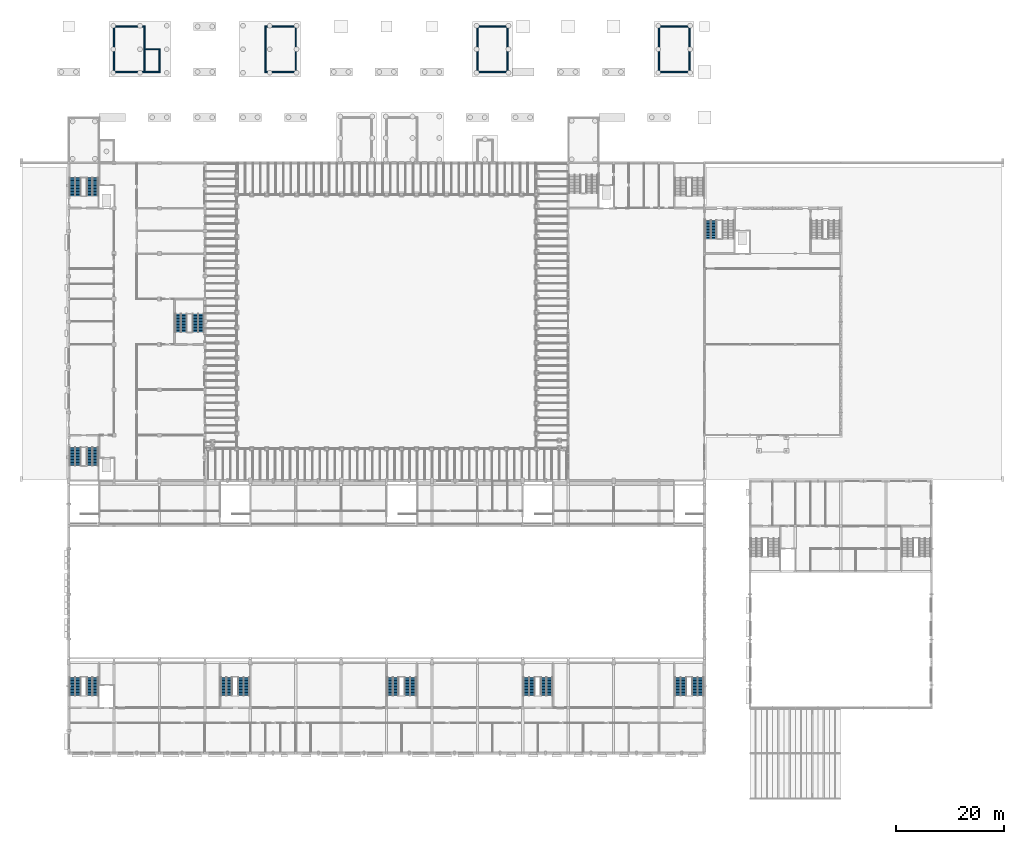
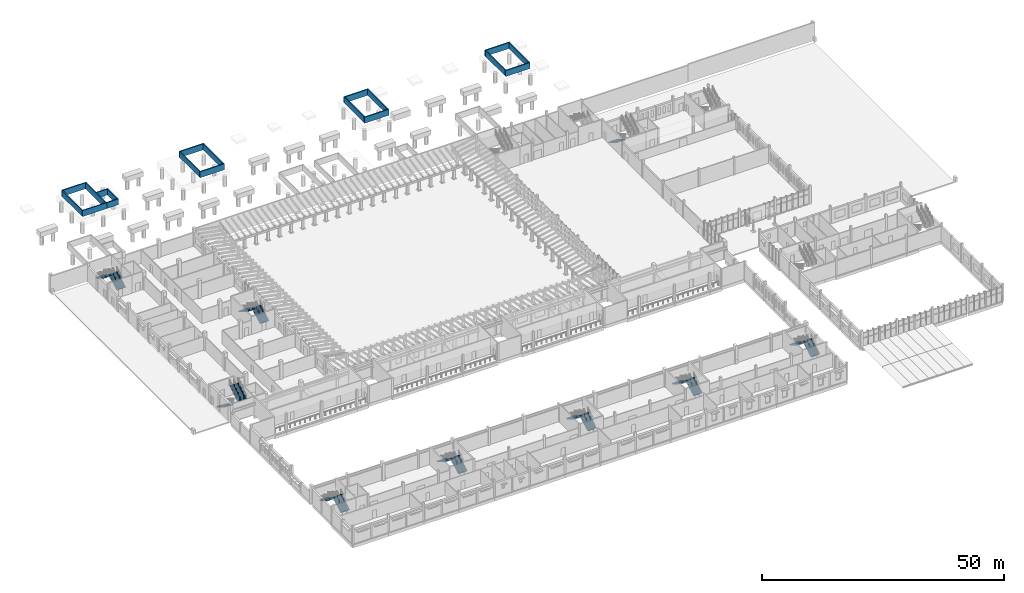
# One storey, part 49 of 60: 19 walls, 17 stair flights, 9 elements without a shape of their own.
"""IFC4 building model written with IfcOpenShell, lengths in metres."""

from ifc_helpers import new_model, si_unit, direction, frame, frame_2d, origin, place, context, subcontext, project, spatial, polyline, rectangle, outline, extrude, material, layer, layer_set, type_object, element, aggregate, save


model = new_model("IFC4")

# Units and contexts
model_context = context("Model", 3, precision=1e-05, world=origin(), true_north=direction((0.0, 1.0)))
body_context = subcontext(model_context, "Body", "Model", "MODEL_VIEW")
ifc_project = project(units=[si_unit("LENGTHUNIT", "METRE"), si_unit("AREAUNIT", "SQUARE_METRE"), si_unit("VOLUMEUNIT", "CUBIC_METRE"), si_unit("PLANEANGLEUNIT", "RADIAN"), si_unit("MASSUNIT", "GRAM", prefix="KILO")], contexts=[model_context])

# Site, building, storey
site_placement = place(None, origin())
site = spatial("IfcSite", under=ifc_project, at=site_placement, CompositionType="ELEMENT")
building_placement = place(site_placement, origin())
building = spatial("IfcBuilding", under=site, at=building_placement, Name="Fescue Hill Polytechnic", CompositionType="ELEMENT")
storey_placement = place(building_placement, frame((0.0, 0.0, 4.5)))
storey = spatial("IfcBuildingStorey", under=building, at=storey_placement, Name="L01", CompositionType="ELEMENT", Elevation=4.5)

# Walls
ifc_material_1 = material(Name="Concrete 40 MPa", Category="concrete")
ifc_layer_1 = layer(ifc_material_1, 0.25)
ifc_layer_set_1 = layer_set([ifc_layer_1], Name="Concrete 40 MPa")
wall_type_1 = type_object("IfcWallType", Name="Core wall 250", PredefinedType="SHEAR", material=ifc_layer_set_1)
for number, where, z_axis, x_axis, name in (
    (1, (109.074951171875, 126.0, 3.0), (0.0, 0.0, 1.0), (1.0, 0.0, 0.0), "FW-ST-V4b-2-1"),
    (2, (109.074951171875, 134.39990234375, 3.0), (0.0, 0.0, 1.0), (1.0, 0.0, 0.0), "FW-ST-V4b-2-2"),
):
    element("IfcWall", number, at=place(storey_placement, frame(where, z_axis=z_axis, x_axis=x_axis)), inside=storey, type_object=wall_type_1, Name=name, PredefinedType="SHEAR", context=body_context, shape_type="SweptSolid", body=[
        extrude(rectangle(XDim=5.85009765625, YDim=0.25, at=frame_2d((2.925048828125, 0.0))), origin(), (0.0, 0.0, 1.0), 1.5),
    ])
for number, where, z_axis, x_axis, name in (
    (3, (109.199951171875, 126.125, 3.0), (0.0, 0.0, 1.0), (0.0, 1.0, 0.0), "FW-ST-V4b-2-3"),
    (4, (114.800048828125, 126.125, 3.0), (0.0, 0.0, 1.0), (0.0, 1.0, 0.0), "FW-ST-V4b-2-4"),
):
    element("IfcWall", number, at=place(storey_placement, frame(where, z_axis=z_axis, x_axis=x_axis)), inside=storey, type_object=wall_type_1, Name=name, PredefinedType="SHEAR", context=body_context, shape_type="SweptSolid", body=[
        extrude(rectangle(XDim=8.14990234375, YDim=0.25, at=frame_2d((4.074951171875, 0.0))), origin(), (0.0, 0.0, 1.0), 1.5),
    ])
for number, where, z_axis, x_axis, name in (
    (5, (75.47509765625, 126.0, 3.0), (0.0, 0.0, 1.0), (1.0, 0.0, 0.0), "FW-ST-V4b-4-1"),
    (6, (75.47509765625, 134.39990234375, 3.0), (0.0, 0.0, 1.0), (1.0, 0.0, 0.0), "FW-ST-V4b-4-2"),
):
    element("IfcWall", number, at=place(storey_placement, frame(where, z_axis=z_axis, x_axis=x_axis)), inside=storey, type_object=wall_type_1, Name=name, PredefinedType="SHEAR", context=body_context, shape_type="SweptSolid", body=[
        extrude(rectangle(XDim=5.849853515625, YDim=0.25, at=frame_2d((2.9248046875, 0.0))), origin(), (0.0, 0.0, 1.0), 1.5),
    ])
for number, where, z_axis, x_axis, name in (
    (7, (75.60009765625, 126.125, 3.0), (0.0, 0.0, 1.0), (0.0, 1.0, 0.0), "FW-ST-V4b-4-3"),
    (8, (81.199951171875, 126.125, 3.0), (0.0, 0.0, 1.0), (0.0, 1.0, 0.0), "FW-ST-V4b-4-4"),
):
    element("IfcWall", number, at=place(storey_placement, frame(where, z_axis=z_axis, x_axis=x_axis)), inside=storey, type_object=wall_type_1, Name=name, PredefinedType="SHEAR", context=body_context, shape_type="SweptSolid", body=[
        extrude(rectangle(XDim=8.14990234375, YDim=0.25, at=frame_2d((4.074951171875, 0.0))), origin(), (0.0, 0.0, 1.0), 1.5),
    ])
for number, where, z_axis, x_axis, name in (
    (9, (36.27490234375, 126.0, 3.0), (0.0, 0.0, 1.0), (1.0, 0.0, 0.0), "FW-ST-V5-2-1"),
    (10, (36.27490234375, 134.39990234375, 3.0), (0.0, 0.0, 1.0), (1.0, 0.0, 0.0), "FW-ST-V5-2-2"),
):
    element("IfcWall", number, at=place(storey_placement, frame(where, z_axis=z_axis, x_axis=x_axis)), inside=storey, type_object=wall_type_1, Name=name, PredefinedType="SHEAR", context=body_context, shape_type="SweptSolid", body=[
        extrude(rectangle(XDim=5.85009765625, YDim=0.25, at=frame_2d((2.925048828125, 0.0))), origin(), (0.0, 0.0, 1.0), 1.5),
    ])
for number, where, z_axis, x_axis, name in (
    (11, (36.39990234375, 126.125, 3.0), (0.0, 0.0, 1.0), (0.0, 1.0, 0.0), "FW-ST-V5-2-3"),
    (12, (42.0, 126.125, 3.0), (0.0, 0.0, 1.0), (0.0, 1.0, 0.0), "FW-ST-V5-2-4"),
):
    element("IfcWall", number, at=place(storey_placement, frame(where, z_axis=z_axis, x_axis=x_axis)), inside=storey, type_object=wall_type_1, Name=name, PredefinedType="SHEAR", context=body_context, shape_type="SweptSolid", body=[
        extrude(rectangle(XDim=8.14990234375, YDim=0.25, at=frame_2d((4.074951171875, 0.0))), origin(), (0.0, 0.0, 1.0), 1.5),
    ])
for number, where, z_axis, x_axis, name in (
    (13, (8.27490234375, 126.0, 3.0), (0.0, 0.0, 1.0), (1.0, 0.0, 0.0), "FW-ST-V5-3-1"),
    (14, (8.27490234375, 134.39990234375, 3.0), (0.0, 0.0, 1.0), (1.0, 0.0, 0.0), "FW-ST-V5-3-2"),
):
    element("IfcWall", number, at=place(storey_placement, frame(where, z_axis=z_axis, x_axis=x_axis)), inside=storey, type_object=wall_type_1, Name=name, PredefinedType="SHEAR", context=body_context, shape_type="SweptSolid", body=[
        extrude(rectangle(XDim=5.85009765625, YDim=0.25, at=frame_2d((2.925048828125, 0.0))), origin(), (0.0, 0.0, 1.0), 1.5),
    ])
for number, where, z_axis, x_axis, name in (
    (15, (8.39990234375, 126.125, 3.0), (0.0, 0.0, 1.0), (0.0, 1.0, 0.0), "FW-ST-V5-3-3"),
    (16, (14.0, 126.125, 3.0), (0.0, 0.0, 1.0), (0.0, 1.0, 0.0), "FW-ST-V5-3-4"),
):
    element("IfcWall", number, at=place(storey_placement, frame(where, z_axis=z_axis, x_axis=x_axis)), inside=storey, type_object=wall_type_1, Name=name, PredefinedType="SHEAR", context=body_context, shape_type="SweptSolid", body=[
        extrude(rectangle(XDim=8.14990234375, YDim=0.25, at=frame_2d((4.074951171875, 0.0))), origin(), (0.0, 0.0, 1.0), 1.5),
    ])
ifc_layer_2 = layer(ifc_material_1, 0.25)
ifc_layer_set_2 = layer_set([ifc_layer_2], Name="Concrete 40 MPa")
wall_type_2 = type_object("IfcWallType", Name="Lift pit wall 250", PredefinedType="SHEAR", material=ifc_layer_set_2)
wall_1_placement = place(storey_placement, frame((14.125, 126.0, 3.0), z_axis=(0.0, 0.0, 1.0), x_axis=(1.0, 0.0, 0.0)))
element("IfcWall", 17, at=wall_1_placement, inside=storey, type_object=wall_type_2, Name="PW-L02-LF-V5-2-1", PredefinedType="SHEAR", context=body_context, shape_type="SweptSolid", body=[
    extrude(rectangle(XDim=2.800048828125, YDim=0.25, at=frame_2d((1.39990234375, 0.0))), origin(), (0.0, 0.0, 1.0), 1.5),
])
wall_2_placement = place(storey_placement, frame((14.010009765625, 130.199951171875, 3.0), z_axis=(0.0, 0.0, 1.0), x_axis=(1.0, 0.0, 0.0)))
element("IfcWall", 18, at=wall_2_placement, inside=storey, type_object=wall_type_2, Name="PW-L02-LF-V5-2-2", PredefinedType="SHEAR", context=body_context, shape_type="SweptSolid", body=[
    extrude(rectangle(XDim=2.9150390625, YDim=0.25, at=frame_2d((1.45751953125, 0.0))), origin(), (0.0, 0.0, 1.0), 1.5),
])
wall_3_placement = place(storey_placement, frame((16.800048828125, 126.125, 3.0), z_axis=(0.0, 0.0, 1.0), x_axis=(0.0, 1.0, 0.0)))
element("IfcWall", 19, at=wall_3_placement, inside=storey, type_object=wall_type_2, Name="PW-L02-LF-V5-2-4", PredefinedType="SHEAR", context=body_context, shape_type="SweptSolid", body=[
    extrude(rectangle(XDim=3.949951171875, YDim=0.25, at=frame_2d((1.97509765625, 0.0))), origin(), (0.0, 0.0, 1.0), 1.5),
])

# Stair, stair flights
ifc_material_2 = material(Name="Concrete 35 MPa", Category="concrete")
stair_type = type_object("IfcStairType", Name="Half-turn stair 2150 flights", PredefinedType="HALF_TURN_STAIR", material=ifc_material_2)
stair_1_placement = place(storey_placement, origin())
stair_1 = element("IfcStair", 20, at=stair_1_placement, inside=storey, type_object=stair_type, Name="L01 ST-V1-1 stair", PredefinedType="HALF_TURN_STAIR")
stair_flight_type = type_object("IfcStairFlightType", Name="Stair flight 2150 wide", PredefinedType="STRAIGHT", material=ifc_material_2)
stair_flight_1_placement = place(storey_placement, frame((4.39990234375, 10.675048828125, 0.0), z_axis=(0.0, 0.0, 1.0), x_axis=(0.0, 1.0, 0.0)))
stair_flight_1 = element("IfcStairFlight", 21, at=stair_flight_1_placement, type_object=stair_flight_type, Name="S01 flight 1", NumberOfRisers=13, NumberOfTreads=12, PredefinedType="STRAIGHT", RiserHeight=0.173076923, TreadLength=0.28, context=body_context, shape_type="SweptSolid", body=[
    extrude(outline(polyline([(0.0, 0.0), (0.0, 0.173095703125), (0.280029296875, 0.173095703125), (0.280029296875, 0.34619140625), (0.56005859375, 0.34619140625), (0.56005859375, 0.519287109375), (0.840087890625, 0.519287109375), (0.840087890625, 0.6923828125), (1.1201171875, 0.6923828125), (1.1201171875, 0.865478515625), (1.39990234375, 0.865478515625), (1.39990234375, 1.03857421875), (1.679931640625, 1.03857421875), (1.679931640625, 1.21142578125), (1.9599609375, 1.21142578125), (1.9599609375, 1.384521484375), (2.239990234375, 1.384521484375), (2.239990234375, 1.5576171875), (2.52001953125, 1.5576171875), (2.52001953125, 1.730712890625), (2.800048828125, 1.730712890625), (2.800048828125, 1.90380859375), (3.080078125, 1.90380859375), (3.080078125, 2.076904296875), (3.360107421875, 2.076904296875), (3.360107421875, 2.25), (3.360107421875, 1.900634765625), (0.28515625, 0.0), (0.0, 0.0)])), frame((0.0, 1.074951171875, 0.0), z_axis=(0.0, -1.0, 0.0), x_axis=(1.0, 0.0, 0.0)), (0.0, 0.0, 1.0), 2.14990234375),
])
stair_flight_2_placement = place(storey_placement, frame((1.22509765625, 14.034912109375, 2.25), z_axis=(0.0, 0.0, 1.0), x_axis=(0.0, -1.0, 0.0)))
stair_flight_2 = element("IfcStairFlight", 22, at=stair_flight_2_placement, type_object=stair_flight_type, Name="S01 flight 2", NumberOfRisers=13, NumberOfTreads=12, PredefinedType="STRAIGHT", RiserHeight=0.173076923, TreadLength=0.28, context=body_context, shape_type="SweptSolid", body=[
    extrude(outline(polyline([(0.0, 0.0), (0.0, 0.173095703125), (0.280029296875, 0.173095703125), (0.280029296875, 0.34619140625), (0.56005859375, 0.34619140625), (0.56005859375, 0.519287109375), (0.840087890625, 0.519287109375), (0.840087890625, 0.6923828125), (1.1201171875, 0.6923828125), (1.1201171875, 0.865478515625), (1.39990234375, 0.865478515625), (1.39990234375, 1.03857421875), (1.679931640625, 1.03857421875), (1.679931640625, 1.21142578125), (1.9599609375, 1.21142578125), (1.9599609375, 1.384521484375), (2.239990234375, 1.384521484375), (2.239990234375, 1.5576171875), (2.52001953125, 1.5576171875), (2.52001953125, 1.730712890625), (2.800048828125, 1.730712890625), (2.800048828125, 1.90380859375), (3.080078125, 1.90380859375), (3.080078125, 2.076904296875), (3.360107421875, 2.076904296875), (3.360107421875, 2.25), (3.360107421875, 1.900634765625), (0.28515625, 0.0), (0.0, 0.0)])), frame((0.0, 1.074951171875, 0.0), z_axis=(0.0, -1.0, 0.0), x_axis=(1.0, 0.0, 0.0)), (0.0, 0.0, 1.0), 2.14990234375),
])
aggregate(stair_1, [stair_flight_1, stair_flight_2])

stair_2_placement = place(storey_placement, origin())
stair_2 = element("IfcStair", 23, at=stair_2_placement, inside=storey, type_object=stair_type, Name="L01 ST-V1-2 stair", PredefinedType="HALF_TURN_STAIR")
stair_flight_3_placement = place(storey_placement, frame((32.39990234375, 10.675048828125, 0.0), z_axis=(0.0, 0.0, 1.0), x_axis=(0.0, 1.0, 0.0)))
stair_flight_3 = element("IfcStairFlight", 24, at=stair_flight_3_placement, type_object=stair_flight_type, Name="S02 flight 1", NumberOfRisers=13, NumberOfTreads=12, PredefinedType="STRAIGHT", RiserHeight=0.173076923, TreadLength=0.28, context=body_context, shape_type="SweptSolid", body=[
    extrude(outline(polyline([(0.0, 0.0), (0.0, 0.173095703125), (0.280029296875, 0.173095703125), (0.280029296875, 0.34619140625), (0.56005859375, 0.34619140625), (0.56005859375, 0.519287109375), (0.840087890625, 0.519287109375), (0.840087890625, 0.6923828125), (1.1201171875, 0.6923828125), (1.1201171875, 0.865478515625), (1.39990234375, 0.865478515625), (1.39990234375, 1.03857421875), (1.679931640625, 1.03857421875), (1.679931640625, 1.21142578125), (1.9599609375, 1.21142578125), (1.9599609375, 1.384521484375), (2.239990234375, 1.384521484375), (2.239990234375, 1.5576171875), (2.52001953125, 1.5576171875), (2.52001953125, 1.730712890625), (2.800048828125, 1.730712890625), (2.800048828125, 1.90380859375), (3.080078125, 1.90380859375), (3.080078125, 2.076904296875), (3.360107421875, 2.076904296875), (3.360107421875, 2.25), (3.360107421875, 1.900634765625), (0.28515625, 0.0), (0.0, 0.0)])), frame((0.0, 1.074951171875, 0.0), z_axis=(0.0, -1.0, 0.0), x_axis=(1.0, 0.0, 0.0)), (0.0, 0.0, 1.0), 2.14990234375),
])
stair_flight_4_placement = place(storey_placement, frame((29.199951171875, 14.034912109375, 2.25), z_axis=(0.0, 0.0, 1.0), x_axis=(0.0, -1.0, 0.0)))
stair_flight_4 = element("IfcStairFlight", 25, at=stair_flight_4_placement, type_object=stair_flight_type, Name="S02 flight 2", NumberOfRisers=13, NumberOfTreads=12, PredefinedType="STRAIGHT", RiserHeight=0.173076923, TreadLength=0.28, context=body_context, shape_type="SweptSolid", body=[
    extrude(outline(polyline([(0.0, 0.0), (0.0, 0.173095703125), (0.280029296875, 0.173095703125), (0.280029296875, 0.34619140625), (0.56005859375, 0.34619140625), (0.56005859375, 0.519287109375), (0.840087890625, 0.519287109375), (0.840087890625, 0.6923828125), (1.1201171875, 0.6923828125), (1.1201171875, 0.865478515625), (1.39990234375, 0.865478515625), (1.39990234375, 1.03857421875), (1.679931640625, 1.03857421875), (1.679931640625, 1.21142578125), (1.9599609375, 1.21142578125), (1.9599609375, 1.384521484375), (2.239990234375, 1.384521484375), (2.239990234375, 1.5576171875), (2.52001953125, 1.5576171875), (2.52001953125, 1.730712890625), (2.800048828125, 1.730712890625), (2.800048828125, 1.90380859375), (3.080078125, 1.90380859375), (3.080078125, 2.076904296875), (3.360107421875, 2.076904296875), (3.360107421875, 2.25), (3.360107421875, 1.900634765625), (0.28515625, 0.0), (0.0, 0.0)])), frame((0.0, 1.074951171875, 0.0), z_axis=(0.0, -1.0, 0.0), x_axis=(1.0, 0.0, 0.0)), (0.0, 0.0, 1.0), 2.14990234375),
])
aggregate(stair_2, [stair_flight_3, stair_flight_4])

stair_3_placement = place(storey_placement, origin())
stair_3 = element("IfcStair", 26, at=stair_3_placement, inside=storey, type_object=stair_type, Name="L01 ST-V1-3 stair", PredefinedType="HALF_TURN_STAIR")
stair_flight_5_placement = place(storey_placement, frame((63.199951171875, 10.675048828125, 0.0), z_axis=(0.0, 0.0, 1.0), x_axis=(0.0, 1.0, 0.0)))
stair_flight_5 = element("IfcStairFlight", 27, at=stair_flight_5_placement, type_object=stair_flight_type, Name="S03 flight 1", NumberOfRisers=13, NumberOfTreads=12, PredefinedType="STRAIGHT", RiserHeight=0.173076923, TreadLength=0.28, context=body_context, shape_type="SweptSolid", body=[
    extrude(outline(polyline([(0.0, 0.0), (0.0, 0.173095703125), (0.280029296875, 0.173095703125), (0.280029296875, 0.34619140625), (0.56005859375, 0.34619140625), (0.56005859375, 0.519287109375), (0.840087890625, 0.519287109375), (0.840087890625, 0.6923828125), (1.1201171875, 0.6923828125), (1.1201171875, 0.865478515625), (1.39990234375, 0.865478515625), (1.39990234375, 1.03857421875), (1.679931640625, 1.03857421875), (1.679931640625, 1.21142578125), (1.9599609375, 1.21142578125), (1.9599609375, 1.384521484375), (2.239990234375, 1.384521484375), (2.239990234375, 1.5576171875), (2.52001953125, 1.5576171875), (2.52001953125, 1.730712890625), (2.800048828125, 1.730712890625), (2.800048828125, 1.90380859375), (3.080078125, 1.90380859375), (3.080078125, 2.076904296875), (3.360107421875, 2.076904296875), (3.360107421875, 2.25), (3.360107421875, 1.900634765625), (0.28515625, 0.0), (0.0, 0.0)])), frame((0.0, 1.074951171875, 0.0), z_axis=(0.0, -1.0, 0.0), x_axis=(1.0, 0.0, 0.0)), (0.0, 0.0, 1.0), 2.14990234375),
])
stair_flight_6_placement = place(storey_placement, frame((60.0, 14.034912109375, 2.25), z_axis=(0.0, 0.0, 1.0), x_axis=(0.0, -1.0, 0.0)))
stair_flight_6 = element("IfcStairFlight", 28, at=stair_flight_6_placement, type_object=stair_flight_type, Name="S03 flight 2", NumberOfRisers=13, NumberOfTreads=12, PredefinedType="STRAIGHT", RiserHeight=0.173076923, TreadLength=0.28, context=body_context, shape_type="SweptSolid", body=[
    extrude(outline(polyline([(0.0, 0.0), (0.0, 0.173095703125), (0.280029296875, 0.173095703125), (0.280029296875, 0.34619140625), (0.56005859375, 0.34619140625), (0.56005859375, 0.519287109375), (0.840087890625, 0.519287109375), (0.840087890625, 0.6923828125), (1.1201171875, 0.6923828125), (1.1201171875, 0.865478515625), (1.39990234375, 0.865478515625), (1.39990234375, 1.03857421875), (1.679931640625, 1.03857421875), (1.679931640625, 1.21142578125), (1.9599609375, 1.21142578125), (1.9599609375, 1.384521484375), (2.239990234375, 1.384521484375), (2.239990234375, 1.5576171875), (2.52001953125, 1.5576171875), (2.52001953125, 1.730712890625), (2.800048828125, 1.730712890625), (2.800048828125, 1.90380859375), (3.080078125, 1.90380859375), (3.080078125, 2.076904296875), (3.360107421875, 2.076904296875), (3.360107421875, 2.25), (3.360107421875, 1.900634765625), (0.28515625, 0.0), (0.0, 0.0)])), frame((0.0, 1.074951171875, 0.0), z_axis=(0.0, -1.0, 0.0), x_axis=(1.0, 0.0, 0.0)), (0.0, 0.0, 1.0), 2.14990234375),
])
aggregate(stair_3, [stair_flight_5, stair_flight_6])

stair_4_placement = place(storey_placement, origin())
stair_4 = element("IfcStair", 29, at=stair_4_placement, inside=storey, type_object=stair_type, Name="L01 ST-V1-4 stair", PredefinedType="HALF_TURN_STAIR")
stair_flight_7_placement = place(storey_placement, frame((88.39990234375, 10.675048828125, 0.0), z_axis=(0.0, 0.0, 1.0), x_axis=(0.0, 1.0, 0.0)))
stair_flight_7 = element("IfcStairFlight", 30, at=stair_flight_7_placement, type_object=stair_flight_type, Name="S04 flight 1", NumberOfRisers=13, NumberOfTreads=12, PredefinedType="STRAIGHT", RiserHeight=0.173076923, TreadLength=0.28, context=body_context, shape_type="SweptSolid", body=[
    extrude(outline(polyline([(0.0, 0.0), (0.0, 0.173095703125), (0.280029296875, 0.173095703125), (0.280029296875, 0.34619140625), (0.56005859375, 0.34619140625), (0.56005859375, 0.519287109375), (0.840087890625, 0.519287109375), (0.840087890625, 0.6923828125), (1.1201171875, 0.6923828125), (1.1201171875, 0.865478515625), (1.39990234375, 0.865478515625), (1.39990234375, 1.03857421875), (1.679931640625, 1.03857421875), (1.679931640625, 1.21142578125), (1.9599609375, 1.21142578125), (1.9599609375, 1.384521484375), (2.239990234375, 1.384521484375), (2.239990234375, 1.5576171875), (2.52001953125, 1.5576171875), (2.52001953125, 1.730712890625), (2.800048828125, 1.730712890625), (2.800048828125, 1.90380859375), (3.080078125, 1.90380859375), (3.080078125, 2.076904296875), (3.360107421875, 2.076904296875), (3.360107421875, 2.25), (3.360107421875, 1.900634765625), (0.28515625, 0.0), (0.0, 0.0)])), frame((0.0, 1.074951171875, 0.0), z_axis=(0.0, -1.0, 0.0), x_axis=(1.0, 0.0, 0.0)), (0.0, 0.0, 1.0), 2.14990234375),
])
stair_flight_8_placement = place(storey_placement, frame((85.199951171875, 14.034912109375, 2.25), z_axis=(0.0, 0.0, 1.0), x_axis=(0.0, -1.0, 0.0)))
stair_flight_8 = element("IfcStairFlight", 31, at=stair_flight_8_placement, type_object=stair_flight_type, Name="S04 flight 2", NumberOfRisers=13, NumberOfTreads=12, PredefinedType="STRAIGHT", RiserHeight=0.173076923, TreadLength=0.28, context=body_context, shape_type="SweptSolid", body=[
    extrude(outline(polyline([(0.0, 0.0), (0.0, 0.173095703125), (0.280029296875, 0.173095703125), (0.280029296875, 0.34619140625), (0.56005859375, 0.34619140625), (0.56005859375, 0.519287109375), (0.840087890625, 0.519287109375), (0.840087890625, 0.6923828125), (1.1201171875, 0.6923828125), (1.1201171875, 0.865478515625), (1.39990234375, 0.865478515625), (1.39990234375, 1.03857421875), (1.679931640625, 1.03857421875), (1.679931640625, 1.21142578125), (1.9599609375, 1.21142578125), (1.9599609375, 1.384521484375), (2.239990234375, 1.384521484375), (2.239990234375, 1.5576171875), (2.52001953125, 1.5576171875), (2.52001953125, 1.730712890625), (2.800048828125, 1.730712890625), (2.800048828125, 1.90380859375), (3.080078125, 1.90380859375), (3.080078125, 2.076904296875), (3.360107421875, 2.076904296875), (3.360107421875, 2.25), (3.360107421875, 1.900634765625), (0.28515625, 0.0), (0.0, 0.0)])), frame((0.0, 1.074951171875, 0.0), z_axis=(0.0, -1.0, 0.0), x_axis=(1.0, 0.0, 0.0)), (0.0, 0.0, 1.0), 2.14990234375),
])
aggregate(stair_4, [stair_flight_7, stair_flight_8])

stair_5_placement = place(storey_placement, origin())
stair_5 = element("IfcStair", 32, at=stair_5_placement, inside=storey, type_object=stair_type, Name="L01 ST-V1-10 stair", PredefinedType="HALF_TURN_STAIR")
stair_flight_9_placement = place(storey_placement, frame((116.375, 10.675048828125, 0.0), z_axis=(0.0, 0.0, 1.0), x_axis=(0.0, 1.0, 0.0)))
stair_flight_9 = element("IfcStairFlight", 33, at=stair_flight_9_placement, type_object=stair_flight_type, Name="S05 flight 1", NumberOfRisers=13, NumberOfTreads=12, PredefinedType="STRAIGHT", RiserHeight=0.173076923, TreadLength=0.28, context=body_context, shape_type="SweptSolid", body=[
    extrude(outline(polyline([(0.0, 0.0), (0.0, 0.173095703125), (0.280029296875, 0.173095703125), (0.280029296875, 0.34619140625), (0.56005859375, 0.34619140625), (0.56005859375, 0.519287109375), (0.840087890625, 0.519287109375), (0.840087890625, 0.6923828125), (1.1201171875, 0.6923828125), (1.1201171875, 0.865478515625), (1.39990234375, 0.865478515625), (1.39990234375, 1.03857421875), (1.679931640625, 1.03857421875), (1.679931640625, 1.21142578125), (1.9599609375, 1.21142578125), (1.9599609375, 1.384521484375), (2.239990234375, 1.384521484375), (2.239990234375, 1.5576171875), (2.52001953125, 1.5576171875), (2.52001953125, 1.730712890625), (2.800048828125, 1.730712890625), (2.800048828125, 1.90380859375), (3.080078125, 1.90380859375), (3.080078125, 2.076904296875), (3.360107421875, 2.076904296875), (3.360107421875, 2.25), (3.360107421875, 1.900634765625), (0.28515625, 0.0), (0.0, 0.0)])), frame((0.0, 1.074951171875, 0.0), z_axis=(0.0, -1.0, 0.0), x_axis=(1.0, 0.0, 0.0)), (0.0, 0.0, 1.0), 2.14990234375),
])
stair_flight_10_placement = place(storey_placement, frame((113.199951171875, 14.034912109375, 2.25), z_axis=(0.0, 0.0, 1.0), x_axis=(0.0, -1.0, 0.0)))
stair_flight_10 = element("IfcStairFlight", 34, at=stair_flight_10_placement, type_object=stair_flight_type, Name="S05 flight 2", NumberOfRisers=13, NumberOfTreads=12, PredefinedType="STRAIGHT", RiserHeight=0.173076923, TreadLength=0.28, context=body_context, shape_type="SweptSolid", body=[
    extrude(outline(polyline([(0.0, 0.0), (0.0, 0.173095703125), (0.280029296875, 0.173095703125), (0.280029296875, 0.34619140625), (0.56005859375, 0.34619140625), (0.56005859375, 0.519287109375), (0.840087890625, 0.519287109375), (0.840087890625, 0.6923828125), (1.1201171875, 0.6923828125), (1.1201171875, 0.865478515625), (1.39990234375, 0.865478515625), (1.39990234375, 1.03857421875), (1.679931640625, 1.03857421875), (1.679931640625, 1.21142578125), (1.9599609375, 1.21142578125), (1.9599609375, 1.384521484375), (2.239990234375, 1.384521484375), (2.239990234375, 1.5576171875), (2.52001953125, 1.5576171875), (2.52001953125, 1.730712890625), (2.800048828125, 1.730712890625), (2.800048828125, 1.90380859375), (3.080078125, 1.90380859375), (3.080078125, 2.076904296875), (3.360107421875, 2.076904296875), (3.360107421875, 2.25), (3.360107421875, 1.900634765625), (0.28515625, 0.0), (0.0, 0.0)])), frame((0.0, 1.074951171875, 0.0), z_axis=(0.0, -1.0, 0.0), x_axis=(1.0, 0.0, 0.0)), (0.0, 0.0, 1.0), 2.14990234375),
])
aggregate(stair_5, [stair_flight_9, stair_flight_10])

# Stair, stair flight
stair_6_placement = place(storey_placement, origin())
stair_6 = element("IfcStair", 35, at=stair_6_placement, inside=storey, type_object=stair_type, Name="L01 ST-V2-1 stair", PredefinedType="HALF_TURN_STAIR")
stair_flight_11_placement = place(storey_placement, frame((118.800048828125, 98.5, 0.0), z_axis=(0.0, 0.0, 1.0), x_axis=(0.0, -1.0, 0.0)))
stair_flight_11 = element("IfcStairFlight", 36, at=stair_flight_11_placement, type_object=stair_flight_type, Name="S13 flight 1", NumberOfRisers=13, NumberOfTreads=12, PredefinedType="STRAIGHT", RiserHeight=0.173076923, TreadLength=0.28, context=body_context, shape_type="SweptSolid", body=[
    extrude(outline(polyline([(0.0, 0.0), (0.0, 0.173095703125), (0.280029296875, 0.173095703125), (0.280029296875, 0.34619140625), (0.56005859375, 0.34619140625), (0.56005859375, 0.519287109375), (0.840087890625, 0.519287109375), (0.840087890625, 0.6923828125), (1.1201171875, 0.6923828125), (1.1201171875, 0.865478515625), (1.39990234375, 0.865478515625), (1.39990234375, 1.03857421875), (1.679931640625, 1.03857421875), (1.679931640625, 1.21142578125), (1.9599609375, 1.21142578125), (1.9599609375, 1.384521484375), (2.239990234375, 1.384521484375), (2.239990234375, 1.5576171875), (2.52001953125, 1.5576171875), (2.52001953125, 1.730712890625), (2.800048828125, 1.730712890625), (2.800048828125, 1.90380859375), (3.080078125, 1.90380859375), (3.080078125, 2.076904296875), (3.360107421875, 2.076904296875), (3.360107421875, 2.25), (3.360107421875, 1.900634765625), (0.28515625, 0.0), (0.0, 0.0)])), frame((0.0, 1.074951171875, 0.0), z_axis=(0.0, -1.0, 0.0), x_axis=(1.0, 0.0, 0.0)), (0.0, 0.0, 1.0), 2.14990234375),
])
aggregate(stair_6, [stair_flight_11])

# Stair, stair flights
stair_7_placement = place(storey_placement, origin())
stair_7 = element("IfcStair", 37, at=stair_7_placement, inside=storey, type_object=stair_type, Name="L01 ST-V4-1 stair", PredefinedType="HALF_TURN_STAIR")
stair_flight_12_placement = place(storey_placement, frame((1.22509765625, 56.52490234375, 0.0), z_axis=(0.0, 0.0, 1.0), x_axis=(0.0, -1.0, 0.0)))
stair_flight_12 = element("IfcStairFlight", 38, at=stair_flight_12_placement, type_object=stair_flight_type, Name="S15 flight 1", NumberOfRisers=13, NumberOfTreads=12, PredefinedType="STRAIGHT", RiserHeight=0.173076923, TreadLength=0.28, context=body_context, shape_type="SweptSolid", body=[
    extrude(outline(polyline([(0.0, 0.0), (0.0, 0.173095703125), (0.280029296875, 0.173095703125), (0.280029296875, 0.34619140625), (0.56005859375, 0.34619140625), (0.56005859375, 0.519287109375), (0.840087890625, 0.519287109375), (0.840087890625, 0.6923828125), (1.1201171875, 0.6923828125), (1.1201171875, 0.865478515625), (1.39990234375, 0.865478515625), (1.39990234375, 1.03857421875), (1.679931640625, 1.03857421875), (1.679931640625, 1.21142578125), (1.9599609375, 1.21142578125), (1.9599609375, 1.384521484375), (2.239990234375, 1.384521484375), (2.239990234375, 1.5576171875), (2.52001953125, 1.5576171875), (2.52001953125, 1.730712890625), (2.800048828125, 1.730712890625), (2.800048828125, 1.90380859375), (3.080078125, 1.90380859375), (3.080078125, 2.076904296875), (3.360107421875, 2.076904296875), (3.360107421875, 2.25), (3.360107421875, 1.900634765625), (0.28515625, 0.0), (0.0, 0.0)])), frame((0.0, 1.074951171875, 0.0), z_axis=(0.0, -1.0, 0.0), x_axis=(1.0, 0.0, 0.0)), (0.0, 0.0, 1.0), 2.14990234375),
])
stair_flight_13_placement = place(storey_placement, frame((4.39990234375, 53.1650390625, 2.25), z_axis=(0.0, 0.0, 1.0), x_axis=(0.0, 1.0, 0.0)))
stair_flight_13 = element("IfcStairFlight", 39, at=stair_flight_13_placement, type_object=stair_flight_type, Name="S15 flight 2", NumberOfRisers=13, NumberOfTreads=12, PredefinedType="STRAIGHT", RiserHeight=0.173076923, TreadLength=0.28, context=body_context, shape_type="SweptSolid", body=[
    extrude(outline(polyline([(0.0, 0.0), (0.0, 0.173095703125), (0.280029296875, 0.173095703125), (0.280029296875, 0.34619140625), (0.56005859375, 0.34619140625), (0.56005859375, 0.519287109375), (0.840087890625, 0.519287109375), (0.840087890625, 0.6923828125), (1.1201171875, 0.6923828125), (1.1201171875, 0.865478515625), (1.39990234375, 0.865478515625), (1.39990234375, 1.03857421875), (1.679931640625, 1.03857421875), (1.679931640625, 1.21142578125), (1.9599609375, 1.21142578125), (1.9599609375, 1.384521484375), (2.239990234375, 1.384521484375), (2.239990234375, 1.5576171875), (2.52001953125, 1.5576171875), (2.52001953125, 1.730712890625), (2.800048828125, 1.730712890625), (2.800048828125, 1.90380859375), (3.080078125, 1.90380859375), (3.080078125, 2.076904296875), (3.360107421875, 2.076904296875), (3.360107421875, 2.25), (3.360107421875, 1.900634765625), (0.28515625, 0.0), (0.0, 0.0)])), frame((0.0, 1.074951171875, 0.0), z_axis=(0.0, -1.0, 0.0), x_axis=(1.0, 0.0, 0.0)), (0.0, 0.0, 1.0), 2.14990234375),
])
aggregate(stair_7, [stair_flight_12, stair_flight_13])

stair_8_placement = place(storey_placement, origin())
stair_8 = element("IfcStair", 40, at=stair_8_placement, inside=storey, type_object=stair_type, Name="L01 ST-V4-2 stair", PredefinedType="HALF_TURN_STAIR")
stair_flight_14_placement = place(storey_placement, frame((4.39990234375, 103.074951171875, 0.0), z_axis=(0.0, 0.0, 1.0), x_axis=(0.0, 1.0, 0.0)))
stair_flight_14 = element("IfcStairFlight", 41, at=stair_flight_14_placement, type_object=stair_flight_type, Name="S16 flight 1", NumberOfRisers=13, NumberOfTreads=12, PredefinedType="STRAIGHT", RiserHeight=0.173076923, TreadLength=0.28, context=body_context, shape_type="SweptSolid", body=[
    extrude(outline(polyline([(0.0, 0.0), (0.0, 0.173095703125), (0.280029296875, 0.173095703125), (0.280029296875, 0.34619140625), (0.56005859375, 0.34619140625), (0.56005859375, 0.519287109375), (0.840087890625, 0.519287109375), (0.840087890625, 0.6923828125), (1.1201171875, 0.6923828125), (1.1201171875, 0.865478515625), (1.39990234375, 0.865478515625), (1.39990234375, 1.03857421875), (1.679931640625, 1.03857421875), (1.679931640625, 1.21142578125), (1.9599609375, 1.21142578125), (1.9599609375, 1.384521484375), (2.239990234375, 1.384521484375), (2.239990234375, 1.5576171875), (2.52001953125, 1.5576171875), (2.52001953125, 1.730712890625), (2.800048828125, 1.730712890625), (2.800048828125, 1.90380859375), (3.080078125, 1.90380859375), (3.080078125, 2.076904296875), (3.360107421875, 2.076904296875), (3.360107421875, 2.25), (3.360107421875, 1.900634765625), (0.28515625, 0.0), (0.0, 0.0)])), frame((0.0, 1.074951171875, 0.0), z_axis=(0.0, -1.0, 0.0), x_axis=(1.0, 0.0, 0.0)), (0.0, 0.0, 1.0), 2.14990234375),
])
stair_flight_15_placement = place(storey_placement, frame((1.22509765625, 106.43505859375, 2.25), z_axis=(0.0, 0.0, 1.0), x_axis=(0.0, -1.0, 0.0)))
stair_flight_15 = element("IfcStairFlight", 42, at=stair_flight_15_placement, type_object=stair_flight_type, Name="S16 flight 2", NumberOfRisers=13, NumberOfTreads=12, PredefinedType="STRAIGHT", RiserHeight=0.173076923, TreadLength=0.28, context=body_context, shape_type="SweptSolid", body=[
    extrude(outline(polyline([(0.0, 0.0), (0.0, 0.173095703125), (0.280029296875, 0.173095703125), (0.280029296875, 0.34619140625), (0.56005859375, 0.34619140625), (0.56005859375, 0.519287109375), (0.840087890625, 0.519287109375), (0.840087890625, 0.6923828125), (1.1201171875, 0.6923828125), (1.1201171875, 0.865478515625), (1.39990234375, 0.865478515625), (1.39990234375, 1.03857421875), (1.679931640625, 1.03857421875), (1.679931640625, 1.21142578125), (1.9599609375, 1.21142578125), (1.9599609375, 1.384521484375), (2.239990234375, 1.384521484375), (2.239990234375, 1.5576171875), (2.52001953125, 1.5576171875), (2.52001953125, 1.730712890625), (2.800048828125, 1.730712890625), (2.800048828125, 1.90380859375), (3.080078125, 1.90380859375), (3.080078125, 2.076904296875), (3.360107421875, 2.076904296875), (3.360107421875, 2.25), (3.360107421875, 1.900634765625), (0.28515625, 0.0), (0.0, 0.0)])), frame((0.0, 1.074951171875, 0.0), z_axis=(0.0, -1.0, 0.0), x_axis=(1.0, 0.0, 0.0)), (0.0, 0.0, 1.0), 2.14990234375),
])
aggregate(stair_8, [stair_flight_14, stair_flight_15])

stair_9_placement = place(storey_placement, origin())
stair_9 = element("IfcStair", 43, at=stair_9_placement, inside=storey, type_object=stair_type, Name="L01 ST-V4-3 stair", PredefinedType="HALF_TURN_STAIR")
stair_flight_16_placement = place(storey_placement, frame((23.97509765625, 77.875, 0.0), z_axis=(0.0, 0.0, 1.0), x_axis=(0.0, 1.0, 0.0)))
stair_flight_16 = element("IfcStairFlight", 44, at=stair_flight_16_placement, type_object=stair_flight_type, Name="S17 flight 1", NumberOfRisers=13, NumberOfTreads=12, PredefinedType="STRAIGHT", RiserHeight=0.173076923, TreadLength=0.28, context=body_context, shape_type="SweptSolid", body=[
    extrude(outline(polyline([(0.0, 0.0), (0.0, 0.173095703125), (0.280029296875, 0.173095703125), (0.280029296875, 0.34619140625), (0.56005859375, 0.34619140625), (0.56005859375, 0.519287109375), (0.840087890625, 0.519287109375), (0.840087890625, 0.6923828125), (1.1201171875, 0.6923828125), (1.1201171875, 0.865478515625), (1.39990234375, 0.865478515625), (1.39990234375, 1.03857421875), (1.679931640625, 1.03857421875), (1.679931640625, 1.21142578125), (1.9599609375, 1.21142578125), (1.9599609375, 1.384521484375), (2.239990234375, 1.384521484375), (2.239990234375, 1.5576171875), (2.52001953125, 1.5576171875), (2.52001953125, 1.730712890625), (2.800048828125, 1.730712890625), (2.800048828125, 1.90380859375), (3.080078125, 1.90380859375), (3.080078125, 2.076904296875), (3.360107421875, 2.076904296875), (3.360107421875, 2.25), (3.360107421875, 1.900634765625), (0.28515625, 0.0), (0.0, 0.0)])), frame((0.0, 1.074951171875, 0.0), z_axis=(0.0, -1.0, 0.0), x_axis=(1.0, 0.0, 0.0)), (0.0, 0.0, 1.0), 2.14990234375),
])
stair_flight_17_placement = place(storey_placement, frame((20.800048828125, 81.235107421875, 2.25), z_axis=(0.0, 0.0, 1.0), x_axis=(0.0, -1.0, 0.0)))
stair_flight_17 = element("IfcStairFlight", 45, at=stair_flight_17_placement, type_object=stair_flight_type, Name="S17 flight 2", NumberOfRisers=13, NumberOfTreads=12, PredefinedType="STRAIGHT", RiserHeight=0.173076923, TreadLength=0.28, context=body_context, shape_type="SweptSolid", body=[
    extrude(outline(polyline([(0.0, 0.0), (0.0, 0.173095703125), (0.280029296875, 0.173095703125), (0.280029296875, 0.34619140625), (0.56005859375, 0.34619140625), (0.56005859375, 0.519287109375), (0.840087890625, 0.519287109375), (0.840087890625, 0.6923828125), (1.1201171875, 0.6923828125), (1.1201171875, 0.865478515625), (1.39990234375, 0.865478515625), (1.39990234375, 1.03857421875), (1.679931640625, 1.03857421875), (1.679931640625, 1.21142578125), (1.9599609375, 1.21142578125), (1.9599609375, 1.384521484375), (2.239990234375, 1.384521484375), (2.239990234375, 1.5576171875), (2.52001953125, 1.5576171875), (2.52001953125, 1.730712890625), (2.800048828125, 1.730712890625), (2.800048828125, 1.90380859375), (3.080078125, 1.90380859375), (3.080078125, 2.076904296875), (3.360107421875, 2.076904296875), (3.360107421875, 2.25), (3.360107421875, 1.900634765625), (0.28515625, 0.0), (0.0, 0.0)])), frame((0.0, 1.074951171875, 0.0), z_axis=(0.0, -1.0, 0.0), x_axis=(1.0, 0.0, 0.0)), (0.0, 0.0, 1.0), 2.14990234375),
])
aggregate(stair_9, [stair_flight_16, stair_flight_17])

save(model, "model.ifc")
